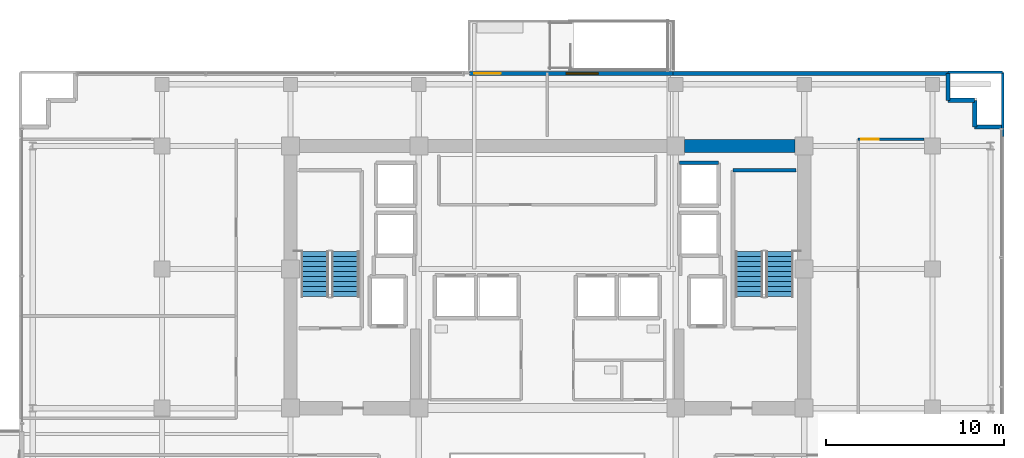
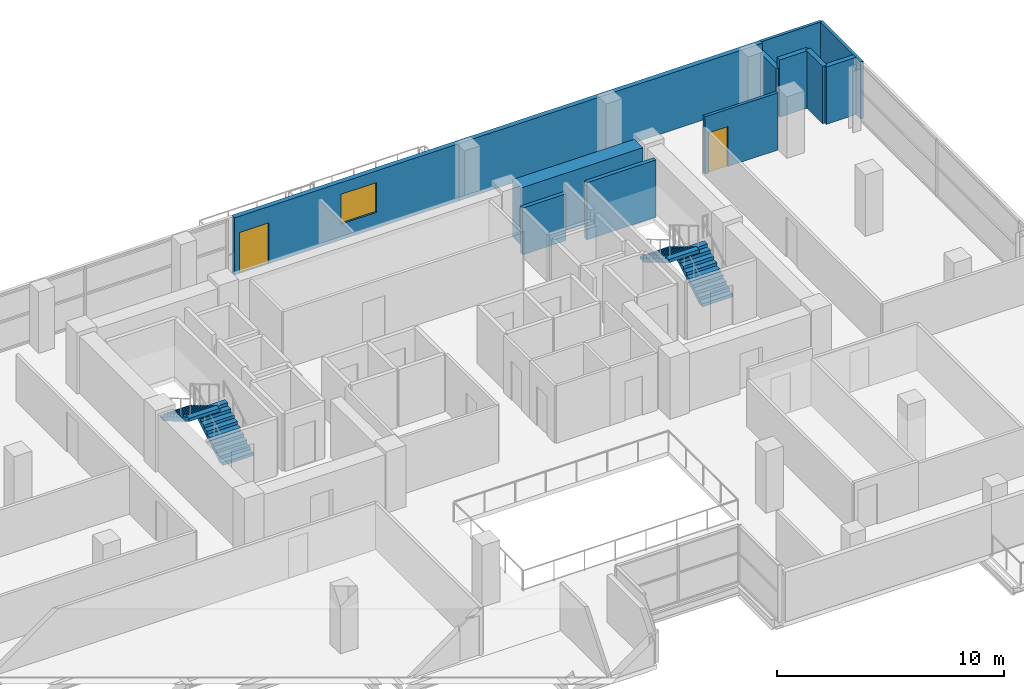
# One storey, part 23 of 28: 12 walls, 4 stair flights, 2 doors, 1 window, 3 openings, 2 elements without a shape of their own.
"""IFC4 building model written with IfcOpenShell, lengths in metres."""

from ifc_helpers import new_model, si_unit, direction, frame, frame_2d, origin, place, context, subcontext, project, spatial, polyline, rectangle, outline, extrude, source, transform, mapped, material, layer, layer_set, type_object, element, fill, aggregate, save


model = new_model("IFC4")

# Units and contexts
model_context = context("Model", 3, precision=1e-05, world=origin(), true_north=direction((0.0, 1.0)))
body_context = subcontext(model_context, "Body", "Model", "MODEL_VIEW")
ifc_project = project(units=[si_unit("LENGTHUNIT", "METRE"), si_unit("AREAUNIT", "SQUARE_METRE"), si_unit("VOLUMEUNIT", "CUBIC_METRE"), si_unit("PLANEANGLEUNIT", "RADIAN"), si_unit("MASSUNIT", "GRAM", prefix="KILO")], contexts=[model_context])

# Site, building, storey
site_placement = place(None, origin())
site = spatial("IfcSite", under=ifc_project, at=site_placement, CompositionType="ELEMENT")
building_placement = place(site_placement, origin())
building = spatial("IfcBuilding", under=site, at=building_placement, Name="Zarnakvel Exchange Tower", CompositionType="ELEMENT")
storey_placement = place(building_placement, frame((0.0, 0.0, 90.10009765625)))
storey = spatial("IfcBuildingStorey", under=building, at=storey_placement, Name="L24", CompositionType="ELEMENT", Elevation=90.10009765625)

# Wall
ifc_material_1 = material(Name="Concrete C60/75", Category="concrete")
ifc_layer_1 = layer(ifc_material_1, 0.75)
ifc_layer_set_1 = layer_set([ifc_layer_1], Name="Concrete C60/75")
wall_type_1 = type_object("IfcWallType", Name="CW-C3", PredefinedType="SHEAR", material=ifc_layer_set_1)
wall_1_placement = place(storey_placement, frame((7.699951171875, 13.5, 0.0), z_axis=(0.0, 0.0, 1.0), x_axis=(1.0, 0.0, 0.0)))
element("IfcWall", 1, at=wall_1_placement, inside=storey, type_object=wall_type_1, Name="L24 Rear Core Shear Wall N3 (CW-C3)", PredefinedType="SHEAR", context=body_context, shape_type="SweptSolid", body=[
    extrude(rectangle(XDim=6.199951171875, YDim=0.75, at=frame_2d((3.10009765625, 0.0))), origin(), (0.0, 0.0, 1.0), 3.074951171875),
])

# Wall, openings, door, window
ifc_material_2 = material(Name="Precast concrete C40/50", Category="concrete")
ifc_layer_2 = layer(ifc_material_2, 0.239990234375)
ifc_layer_set_2 = layer_set([ifc_layer_2], Name="Precast concrete C40/50")
wall_type_2 = type_object("IfcWallType", Name="EW-02", PredefinedType="SOLIDWALL", material=ifc_layer_set_2)
wall_2_placement = place(storey_placement, frame((-4.35009765625, 17.56005859375, 0.0), z_axis=(0.0, 0.0, 1.0), x_axis=(1.0, 0.0, 0.0)))
wall_2 = element("IfcWall", 2, at=wall_2_placement, inside=storey, type_object=wall_type_2, Name="L24 Exterior Precast Spandrel Wall EW-SPTER-L24 (EW-02)", PredefinedType="SOLIDWALL", context=body_context, shape_type="SweptSolid", body=[
    extrude(rectangle(XDim=11.400146484375, YDim=0.239990234375, at=frame_2d((5.7001953125, 0.0))), origin(), (0.0, 0.0, 1.0), 3.074951171875),
])
opening_1_placement = place(wall_2_placement, frame((0.25, 0.0, 0.0)))
opening_1 = element("IfcOpeningElement", 3, at=opening_1_placement, cuts=wall_2, Name="Opening TD-L24-SP", PredefinedType="OPENING", context=body_context, shape_type="SweptSolid", body=[
    extrude(rectangle(XDim=1.5, YDim=2.199951171875, at=frame_2d((0.75, 1.10009765625))), frame((0.0, 0.1298828125, 0.0), z_axis=(0.0, -1.0, 0.0), x_axis=(1.0, 0.0, 0.0)), (0.0, 0.0, 1.0), 0.260009765625),
])
opening_2_placement = place(wall_2_placement, frame((5.39990234375, 0.0, 0.85009765625)))
opening_2 = element("IfcOpeningElement", 4, at=opening_2_placement, cuts=wall_2, Name="Opening WN-05", PredefinedType="OPENING", context=body_context, shape_type="SweptSolid", body=[
    extrude(rectangle(XDim=1.800048828125, YDim=1.60009765625, at=frame_2d((0.89990234375, 0.800048828125))), frame((0.0, 0.1298828125, 0.0), z_axis=(0.0, -1.0, 0.0), x_axis=(1.0, 0.0, 0.0)), (0.0, 0.0, 1.0), 0.260009765625),
])
ifc_material_3 = material(Name="Architectural Bronze Anodised Aluminium", Category="aluminium")
door_type_1 = type_object("IfcDoorType", Name="DT-10", OperationType="NOTDEFINED", PredefinedType="DOOR", material=ifc_material_3)
shared_shape_1 = source(origin(), body_context, "Body", "SweptSolid", [
    extrude(rectangle(XDim=1.5, YDim=2.199951171875, at=frame_2d((0.75, 1.10009765625))), frame((0.0, 0.02490234375, 0.0), z_axis=(0.0, -1.0, 0.0), x_axis=(1.0, 0.0, 0.0)), (0.0, 0.0, 1.0), 0.050048828125),
])
door_1_placement = place(opening_1_placement, origin())
door_1 = element("IfcDoor", 5, at=door_1_placement, inside=storey, type_object=door_type_1, Name="L24 Spiral Sky-Terrace Access Door TD-L24-SP", OperationType="DOUBLE_DOOR_SINGLE_SWING", OverallHeight=2.199951171875, OverallWidth=1.5, PredefinedType="DOOR", context=body_context, shape_type="MappedRepresentation", body=[
    mapped(shared_shape_1, transform((0.0, 0.0, 0.0), x_axis=(1.0, 0.0, 0.0), y_axis=(0.0, 1.0, 0.0), z_axis=(0.0, 0.0, 1.0), scale=1.0)),
])
fill(opening_1, door_1)
ifc_material_4 = material(Name="Double Low-E Laminated Vision Glass", Category="glass")
window_type = type_object("IfcWindowType", Name="WN-05", PartitioningType="SINGLE_PANEL", PredefinedType="WINDOW", material=ifc_material_4)
shared_shape_2 = source(origin(), body_context, "Body", "SweptSolid", [
    extrude(rectangle(XDim=1.800048828125, YDim=1.60009765625, at=frame_2d((0.89990234375, 0.800048828125))), frame((0.0, 0.030029296875, 0.0), z_axis=(0.0, -1.0, 0.0), x_axis=(1.0, 0.0, 0.0)), (0.0, 0.0, 1.0), 0.06005859375),
])
window_placement = place(opening_2_placement, origin())
window = element("IfcWindow", 6, at=window_placement, inside=storey, type_object=window_type, Name="L24 Spiral Sky-Terrace Lounge Window", OverallHeight=1.60009765625, OverallWidth=1.800048828125, PartitioningType="SINGLE_PANEL", PredefinedType="WINDOW", context=body_context, shape_type="MappedRepresentation", body=[
    mapped(shared_shape_2, transform((0.0, 0.0, 0.0), x_axis=(1.0, 0.0, 0.0), y_axis=(0.0, 1.0, 0.0), z_axis=(0.0, 0.0, 1.0), scale=1.0)),
])
fill(opening_2, window)

# Walls
wall_3_placement = place(storey_placement, frame((22.4599609375, 17.56005859375, 0.0), z_axis=(0.0, 0.0, 1.0), x_axis=(-1.0, 0.0, 0.0)))
element("IfcWall", 7, at=wall_3_placement, inside=storey, type_object=wall_type_2, Name="L24 Exterior Precast Spandrel Wall EWC-L24-08 (EW-02)", PredefinedType="SOLIDWALL", context=body_context, shape_type="SweptSolid", body=[
    extrude(rectangle(XDim=15.409912109375, YDim=0.239990234375, at=frame_2d((7.705078125, 0.0))), origin(), (0.0, 0.0, 1.0), 3.074951171875),
])
wall_4_placement = place(storey_placement, frame((22.4599609375, 16.06005859375, 0.0), z_axis=(0.0, 0.0, 1.0), x_axis=(0.0, 1.0, 0.0)))
element("IfcWall", 8, at=wall_4_placement, inside=storey, type_object=wall_type_2, Name="L24 Exterior Precast Spandrel Wall EWC-L24-09 (EW-02)", PredefinedType="SOLIDWALL", context=body_context, shape_type="SweptSolid", body=[
    extrude(rectangle(XDim=1.5, YDim=0.239990234375, at=frame_2d((0.75, 0.0))), origin(), (0.0, 0.0, 1.0), 2.56494140625),
])
for number, where, z_axis, x_axis, name in (
    (9, (23.9599609375, 16.06005859375, 0.0), (0.0, 0.0, 1.0), (-1.0, 0.0, 0.0), "L24 Exterior Precast Spandrel Wall EWC-L24-10 (EW-02)"),
    (10, (23.9599609375, 14.56005859375, 0.0), (0.0, 0.0, 1.0), (0.0, 1.0, 0.0), "L24 Exterior Precast Spandrel Wall EWC-L24-11 (EW-02)"),
    (11, (25.4599609375, 14.56005859375, 0.0), (0.0, 0.0, 1.0), (-1.0, 0.0, 0.0), "L24 Exterior Precast Spandrel Wall EWC-L24-12 (EW-02)"),
):
    element("IfcWall", number, at=place(storey_placement, frame(where, z_axis=z_axis, x_axis=x_axis)), inside=storey, type_object=wall_type_2, Name=name, PredefinedType="SOLIDWALL", context=body_context, shape_type="SweptSolid", body=[
        extrude(rectangle(XDim=1.5, YDim=0.239990234375, at=frame_2d((0.75, 0.0))), origin(), (0.0, 0.0, 1.0), 3.074951171875),
    ])

# Wall, opening, door
ifc_material_5 = material(Name="Fire-Rated Gypsum Stud Partition", Category="gypsum")
ifc_layer_3 = layer(ifc_material_5, 0.14990234375)
ifc_layer_set_3 = layer_set([ifc_layer_3], Name="Fire-Rated Gypsum Stud Partition")
wall_type_3 = type_object("IfcWallType", Name="PT-01", PredefinedType="PARTITIONING", material=ifc_layer_set_3)
wall_5_placement = place(storey_placement, frame((17.429931640625, 13.8798828125, 0.0), z_axis=(0.0, 0.0, 1.0), x_axis=(1.0, 0.0, 0.0)))
wall_5 = element("IfcWall", 12, at=wall_5_placement, inside=storey, type_object=wall_type_3, Name="L24 Partition Wall PWALL-L24-050 (PT-01)", PredefinedType="PARTITIONING", context=body_context, shape_type="SweptSolid", body=[
    extrude(rectangle(XDim=3.699951171875, YDim=0.14990234375, at=frame_2d((1.85009765625, 0.0))), origin(), (0.0, 0.0, 1.0), 3.074951171875),
])
opening_3_placement = place(wall_5_placement, frame((0.179931640625, 0.0, 0.0)))
opening_3 = element("IfcOpeningElement", 13, at=opening_3_placement, cuts=wall_5, Name="Opening D-L24-19", PredefinedType="OPENING", context=body_context, shape_type="SweptSolid", body=[
    extrude(rectangle(XDim=0.97998046875, YDim=2.14990234375, at=frame_2d((0.489990234375, 1.074951171875))), frame((0.0, 0.0849609375, 0.0), z_axis=(0.0, -1.0, 0.0), x_axis=(1.0, 0.0, 0.0)), (0.0, 0.0, 1.0), 0.169921875),
])
ifc_material_6 = material(Name="Timber Acoustic Veneer", Category="wood")
door_type_2 = type_object("IfcDoorType", Name="DT-05", OperationType="NOTDEFINED", PredefinedType="DOOR", material=ifc_material_6)
shared_shape_3 = source(origin(), body_context, "Body", "SweptSolid", [
    extrude(rectangle(XDim=0.97998046875, YDim=2.14990234375, at=frame_2d((0.489990234375, 1.074951171875))), frame((0.0, 0.02490234375, 0.0), z_axis=(0.0, -1.0, 0.0), x_axis=(1.0, 0.0, 0.0)), (0.0, 0.0, 1.0), 0.050048828125),
])
door_2_placement = place(opening_3_placement, origin())
door_2 = element("IfcDoor", 14, at=door_2_placement, inside=storey, type_object=door_type_2, Name="L24 Members Lounge Door D-L24-19", OperationType="SINGLE_SWING_LEFT", OverallHeight=2.14990234375, OverallWidth=0.97998046875, PredefinedType="DOOR", context=body_context, shape_type="MappedRepresentation", body=[
    mapped(shared_shape_3, transform((0.0, 0.0, 0.0), x_axis=(1.0, 0.0, 0.0), y_axis=(0.0, 1.0, 0.0), z_axis=(0.0, 0.0, 1.0), scale=1.0)),
])
fill(opening_3, door_2)

# Walls
wall_6_placement = place(storey_placement, frame((22.4599609375, 17.6298828125, 0.0), z_axis=(0.0, 0.0, 1.0), x_axis=(1.0, 0.0, 0.0)))
element("IfcWall", 15, at=wall_6_placement, inside=storey, type_object=wall_type_3, Name="L24 Partition Wall PWALL-L24-056 (PT-01)", PredefinedType="PARTITIONING", context=body_context, shape_type="SweptSolid", body=[
    extrude(rectangle(XDim=3.070068359375, YDim=0.14990234375, at=frame_2d((1.53515625, 0.0))), origin(), (0.0, 0.0, 1.0), 3.074951171875),
])
wall_7_placement = place(storey_placement, frame((25.530029296875, 17.6298828125, 0.0), z_axis=(0.0, 0.0, 1.0), x_axis=(0.0, -1.0, 0.0)))
element("IfcWall", 16, at=wall_7_placement, inside=storey, type_object=wall_type_3, Name="L24 Partition Wall PWALL-L24-057 (PT-01)", PredefinedType="PARTITIONING", context=body_context, shape_type="SweptSolid", body=[
    extrude(rectangle(XDim=3.599853515625, YDim=0.14990234375, at=frame_2d((1.7998046875, 0.0))), origin(), (0.0, 0.0, 1.0), 3.074951171875),
])
ifc_material_7 = material(Name="Concrete C40/50", Category="concrete")
ifc_layer_4 = layer(ifc_material_7, 0.199951171875)
ifc_layer_set_4 = layer_set([ifc_layer_4], Name="Concrete C40/50")
wall_type_4 = type_object("IfcWallType", Name="SW-01", PredefinedType="SOLIDWALL", material=ifc_layer_set_4)
wall_8_placement = place(storey_placement, frame((7.39990234375, 12.550048828125, 0.0), z_axis=(0.0, 0.0, 1.0), x_axis=(1.0, 0.0, 0.0)))
element("IfcWall", 17, at=wall_8_placement, inside=storey, type_object=wall_type_4, Name="L24 PL-12 Hoistway Wall North", PredefinedType="SOLIDWALL", context=body_context, shape_type="SweptSolid", body=[
    extrude(rectangle(XDim=2.2001953125, YDim=0.199951171875, at=frame_2d((1.10009765625, 0.0))), origin(), (0.0, 0.0, 1.0), 2.514892578125),
])
ifc_layer_5 = layer(ifc_material_7, 0.199951171875)
ifc_layer_set_5 = layer_set([ifc_layer_5], Name="Concrete C40/50")
wall_type_5 = type_object("IfcWallType", Name="SW-02", PredefinedType="SOLIDWALL", material=ifc_layer_set_5)
wall_9_placement = place(storey_placement, frame((10.409912109375, 12.1298828125, 0.0), z_axis=(0.0, 0.0, 1.0), x_axis=(1.0, 0.0, 0.0)))
element("IfcWall", 18, at=wall_9_placement, inside=storey, type_object=wall_type_5, Name="L24 Stairwell Core Wall PWALL-L24-005 (SW-02)", PredefinedType="SOLIDWALL", context=body_context, shape_type="SweptSolid", body=[
    extrude(rectangle(XDim=3.52001953125, YDim=0.199951171875, at=frame_2d((1.760009765625, 0.0))), origin(), (0.0, 0.0, 1.0), 3.074951171875),
])

# Stair, stair flights
stair_type = type_object("IfcStairType", Name="STR-01", PredefinedType="HALF_TURN_STAIR", material=ifc_material_7)
stair_1_placement = place(storey_placement, origin())
stair_1 = element("IfcStair", 19, at=stair_1_placement, inside=storey, type_object=stair_type, Name="L24 Protected Core Exit Stair ST-01", PredefinedType="HALF_TURN_STAIR")
stair_flight_type = type_object("IfcStairFlightType", Name="FLT-01", PredefinedType="STRAIGHT", material=ifc_material_7)
stair_flight_1_placement = place(storey_placement, frame((-11.31494140625, 5.050048828125, 0.0), z_axis=(0.0, 0.0, 1.0), x_axis=(0.0, 1.0, 0.0)))
stair_flight_1 = element("IfcStairFlight", 20, at=stair_flight_1_placement, type_object=stair_flight_type, Name="ST-01 flight 1", NumberOfRisers=10, NumberOfTreads=9, PredefinedType="STRAIGHT", RiserHeight=0.165, TreadLength=0.28, context=body_context, shape_type="SweptSolid", body=[
    extrude(outline(polyline([(0.0, 0.0), (0.0, 0.1650390625), (0.280029296875, 0.1650390625), (0.280029296875, 0.330078125), (0.56005859375, 0.330078125), (0.56005859375, 0.4951171875), (0.840087890625, 0.4951171875), (0.840087890625, 0.659912109375), (1.1201171875, 0.659912109375), (1.1201171875, 0.824951171875), (1.39990234375, 0.824951171875), (1.39990234375, 0.989990234375), (1.679931640625, 0.989990234375), (1.679931640625, 1.155029296875), (1.9599609375, 1.155029296875), (1.9599609375, 1.320068359375), (2.239990234375, 1.320068359375), (2.239990234375, 1.485107421875), (2.52001953125, 1.485107421875), (2.52001953125, 1.64990234375), (2.52001953125, 1.31103515625), (0.295166015625, 0.0), (0.0, 0.0)])), frame((0.0, 0.77490234375, 0.0), z_axis=(0.0, -1.0, 0.0), x_axis=(1.0, 0.0, 0.0)), (0.0, 0.0, 1.0), 1.550048828125),
])
stair_flight_2_placement = place(storey_placement, frame((-13.02490234375, 7.570068359375, 1.64990234375), z_axis=(0.0, 0.0, 1.0), x_axis=(0.0, -1.0, 0.0)))
stair_flight_2 = element("IfcStairFlight", 21, at=stair_flight_2_placement, type_object=stair_flight_type, Name="ST-01 flight 2", NumberOfRisers=10, NumberOfTreads=9, PredefinedType="STRAIGHT", RiserHeight=0.165, TreadLength=0.28, context=body_context, shape_type="SweptSolid", body=[
    extrude(outline(polyline([(0.0, 0.0), (0.0, 0.1650390625), (0.280029296875, 0.1650390625), (0.280029296875, 0.330078125), (0.56005859375, 0.330078125), (0.56005859375, 0.4951171875), (0.840087890625, 0.4951171875), (0.840087890625, 0.659912109375), (1.1201171875, 0.659912109375), (1.1201171875, 0.824951171875), (1.39990234375, 0.824951171875), (1.39990234375, 0.989990234375), (1.679931640625, 0.989990234375), (1.679931640625, 1.155029296875), (1.9599609375, 1.155029296875), (1.9599609375, 1.320068359375), (2.239990234375, 1.320068359375), (2.239990234375, 1.485107421875), (2.52001953125, 1.485107421875), (2.52001953125, 1.64990234375), (2.52001953125, 1.31103515625), (0.295166015625, 0.0), (0.0, 0.0)])), frame((0.0, 0.77490234375, 0.0), z_axis=(0.0, -1.0, 0.0), x_axis=(1.0, 0.0, 0.0)), (0.0, 0.0, 1.0), 1.550048828125),
])
aggregate(stair_1, [stair_flight_1, stair_flight_2])

stair_2_placement = place(storey_placement, origin())
stair_2 = element("IfcStair", 22, at=stair_2_placement, inside=storey, type_object=stair_type, Name="L24 Protected Core Exit Stair ST-02", PredefinedType="HALF_TURN_STAIR")
stair_flight_3_placement = place(storey_placement, frame((13.02490234375, 5.050048828125, 0.0), z_axis=(0.0, 0.0, 1.0), x_axis=(0.0, 1.0, 0.0)))
stair_flight_3 = element("IfcStairFlight", 23, at=stair_flight_3_placement, type_object=stair_flight_type, Name="ST-02 flight 1", NumberOfRisers=10, NumberOfTreads=9, PredefinedType="STRAIGHT", RiserHeight=0.165, TreadLength=0.28, context=body_context, shape_type="SweptSolid", body=[
    extrude(outline(polyline([(0.0, 0.0), (0.0, 0.1650390625), (0.280029296875, 0.1650390625), (0.280029296875, 0.330078125), (0.56005859375, 0.330078125), (0.56005859375, 0.4951171875), (0.840087890625, 0.4951171875), (0.840087890625, 0.659912109375), (1.1201171875, 0.659912109375), (1.1201171875, 0.824951171875), (1.39990234375, 0.824951171875), (1.39990234375, 0.989990234375), (1.679931640625, 0.989990234375), (1.679931640625, 1.155029296875), (1.9599609375, 1.155029296875), (1.9599609375, 1.320068359375), (2.239990234375, 1.320068359375), (2.239990234375, 1.485107421875), (2.52001953125, 1.485107421875), (2.52001953125, 1.64990234375), (2.52001953125, 1.31103515625), (0.295166015625, 0.0), (0.0, 0.0)])), frame((0.0, 0.77490234375, 0.0), z_axis=(0.0, -1.0, 0.0), x_axis=(1.0, 0.0, 0.0)), (0.0, 0.0, 1.0), 1.550048828125),
])
stair_flight_4_placement = place(storey_placement, frame((11.31494140625, 7.570068359375, 1.64990234375), z_axis=(0.0, 0.0, 1.0), x_axis=(0.0, -1.0, 0.0)))
stair_flight_4 = element("IfcStairFlight", 24, at=stair_flight_4_placement, type_object=stair_flight_type, Name="ST-02 flight 2", NumberOfRisers=10, NumberOfTreads=9, PredefinedType="STRAIGHT", RiserHeight=0.165, TreadLength=0.28, context=body_context, shape_type="SweptSolid", body=[
    extrude(outline(polyline([(0.0, 0.0), (0.0, 0.1650390625), (0.280029296875, 0.1650390625), (0.280029296875, 0.330078125), (0.56005859375, 0.330078125), (0.56005859375, 0.4951171875), (0.840087890625, 0.4951171875), (0.840087890625, 0.659912109375), (1.1201171875, 0.659912109375), (1.1201171875, 0.824951171875), (1.39990234375, 0.824951171875), (1.39990234375, 0.989990234375), (1.679931640625, 0.989990234375), (1.679931640625, 1.155029296875), (1.9599609375, 1.155029296875), (1.9599609375, 1.320068359375), (2.239990234375, 1.320068359375), (2.239990234375, 1.485107421875), (2.52001953125, 1.485107421875), (2.52001953125, 1.64990234375), (2.52001953125, 1.31103515625), (0.295166015625, 0.0), (0.0, 0.0)])), frame((0.0, 0.77490234375, 0.0), z_axis=(0.0, -1.0, 0.0), x_axis=(1.0, 0.0, 0.0)), (0.0, 0.0, 1.0), 1.550048828125),
])
aggregate(stair_2, [stair_flight_3, stair_flight_4])

save(model, "model.ifc")
